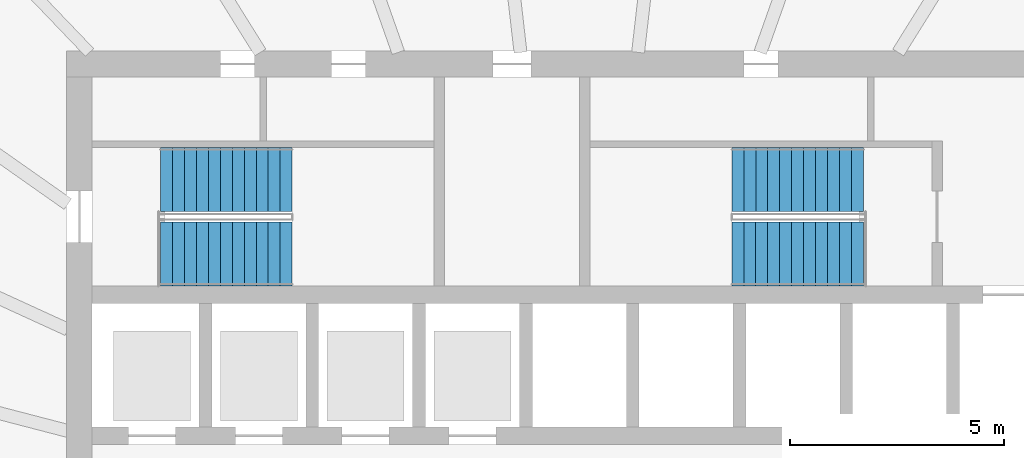
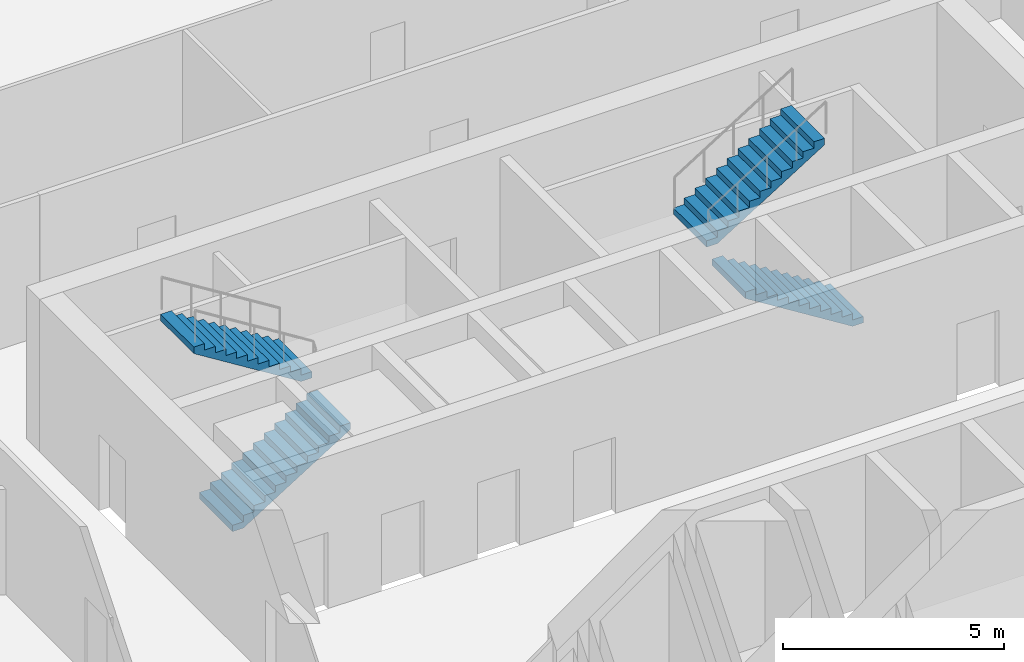
# One storey, part 9 of 12: 4 stair flights, 2 elements without a shape of their own.
"""IFC4 building model written with IfcOpenShell, lengths in metres."""

from ifc_helpers import new_model, si_unit, direction, frame, origin, place, context, subcontext, project, spatial, polyline, outline, extrude, material, type_object, element, aggregate, save


model = new_model("IFC4")

# Units and contexts
model_context = context("Model", 3, precision=1e-05, world=origin(), true_north=direction((0.0, 1.0)))
body_context = subcontext(model_context, "Body", "Model", "MODEL_VIEW")
ifc_project = project(units=[si_unit("LENGTHUNIT", "METRE"), si_unit("AREAUNIT", "SQUARE_METRE"), si_unit("VOLUMEUNIT", "CUBIC_METRE"), si_unit("PLANEANGLEUNIT", "RADIAN"), si_unit("MASSUNIT", "GRAM", prefix="KILO")], contexts=[model_context])

# Site, building, storey
site_placement = place(None, origin())
site = spatial("IfcSite", under=ifc_project, at=site_placement, CompositionType="ELEMENT")
building_placement = place(site_placement, origin())
building = spatial("IfcBuilding", under=site, at=building_placement, Name="Halqa Exchange Tower", CompositionType="ELEMENT")
storey_placement = place(building_placement, frame((0.0, 0.0, 31.89990234375)))
storey = spatial("IfcBuildingStorey", under=building, at=storey_placement, Name="L06", CompositionType="ELEMENT", Elevation=31.89990234375)

# Stair, stair flights
ifc_material = material(Name="Concrete C30/37", Category="concrete")
stair_type = type_object("IfcStairType", Name="Exit stair 1500 wide", PredefinedType="HALF_TURN_STAIR", material=ifc_material)
stair_1_placement = place(storey_placement, origin())
stair_1 = element("IfcStair", 1, at=stair_1_placement, inside=storey, type_object=stair_type, Name="Exit stair ST1", PredefinedType="HALF_TURN_STAIR")
stair_flight_type = type_object("IfcStairFlightType", Name="Stair flight 1500 wide", PredefinedType="STRAIGHT", material=ifc_material)
stair_flight_1_placement = place(storey_placement, frame((-9.800048828125, 7.25, 0.0), z_axis=(0.0, 0.0, 1.0), x_axis=(1.0, 0.0, 0.0)))
stair_flight_1 = element("IfcStairFlight", 2, at=stair_flight_1_placement, type_object=stair_flight_type, Name="ST1 flight 1", NumberOfRisers=12, NumberOfTreads=11, PredefinedType="STRAIGHT", RiserHeight=0.175, TreadLength=0.28, context=body_context, shape_type="SweptSolid", body=[
    extrude(outline(polyline([(0.0, 0.0), (0.0, 0.175048828125), (0.280029296875, 0.175048828125), (0.280029296875, 0.35009765625), (0.56005859375, 0.35009765625), (0.56005859375, 0.52490234375), (0.840087890625, 0.52490234375), (0.840087890625, 0.699951171875), (1.1201171875, 0.699951171875), (1.1201171875, 0.875), (1.39990234375, 0.875), (1.39990234375, 1.050048828125), (1.679931640625, 1.050048828125), (1.679931640625, 1.22509765625), (1.9599609375, 1.22509765625), (1.9599609375, 1.39990234375), (2.239990234375, 1.39990234375), (2.239990234375, 1.574951171875), (2.52001953125, 1.574951171875), (2.52001953125, 1.75), (2.800048828125, 1.75), (2.800048828125, 1.925048828125), (3.080078125, 1.925048828125), (3.080078125, 2.10009765625), (3.080078125, 1.748291015625), (0.28271484375, 0.0), (0.0, 0.0)])), frame((0.0, 0.75, 0.0), z_axis=(0.0, -1.0, 0.0), x_axis=(1.0, 0.0, 0.0)), (0.0, 0.0, 1.0), 1.5),
])
stair_flight_2_placement = place(storey_placement, frame((-6.719970703125, 9.0, 2.10009765625), z_axis=(0.0, 0.0, 1.0), x_axis=(-1.0, 0.0, 0.0)))
stair_flight_2 = element("IfcStairFlight", 3, at=stair_flight_2_placement, type_object=stair_flight_type, Name="ST1 flight 2", NumberOfRisers=12, NumberOfTreads=11, PredefinedType="STRAIGHT", RiserHeight=0.175, TreadLength=0.28, context=body_context, shape_type="SweptSolid", body=[
    extrude(outline(polyline([(0.0, 0.0), (0.0, 0.175048828125), (0.280029296875, 0.175048828125), (0.280029296875, 0.35009765625), (0.56005859375, 0.35009765625), (0.56005859375, 0.52490234375), (0.840087890625, 0.52490234375), (0.840087890625, 0.699951171875), (1.1201171875, 0.699951171875), (1.1201171875, 0.875), (1.39990234375, 0.875), (1.39990234375, 1.050048828125), (1.679931640625, 1.050048828125), (1.679931640625, 1.22509765625), (1.9599609375, 1.22509765625), (1.9599609375, 1.39990234375), (2.239990234375, 1.39990234375), (2.239990234375, 1.574951171875), (2.52001953125, 1.574951171875), (2.52001953125, 1.75), (2.800048828125, 1.75), (2.800048828125, 1.925048828125), (3.080078125, 1.925048828125), (3.080078125, 2.10009765625), (3.080078125, 1.748291015625), (0.28271484375, 0.0), (0.0, 0.0)])), frame((0.0, 0.75, 0.0), z_axis=(0.0, -1.0, 0.0), x_axis=(1.0, 0.0, 0.0)), (0.0, 0.0, 1.0), 1.5),
])
aggregate(stair_1, [stair_flight_1, stair_flight_2])

stair_2_placement = place(storey_placement, origin())
stair_2 = element("IfcStair", 4, at=stair_2_placement, inside=storey, type_object=stair_type, Name="Exit stair ST2", PredefinedType="HALF_TURN_STAIR")
stair_flight_3_placement = place(storey_placement, frame((6.64990234375, 7.25, 0.0), z_axis=(0.0, 0.0, 1.0), x_axis=(-1.0, 0.0, 0.0)))
stair_flight_3 = element("IfcStairFlight", 5, at=stair_flight_3_placement, type_object=stair_flight_type, Name="ST2 flight 1", NumberOfRisers=12, NumberOfTreads=11, PredefinedType="STRAIGHT", RiserHeight=0.175, TreadLength=0.28, context=body_context, shape_type="SweptSolid", body=[
    extrude(outline(polyline([(0.0, 0.0), (0.0, 0.175048828125), (0.280029296875, 0.175048828125), (0.280029296875, 0.35009765625), (0.56005859375, 0.35009765625), (0.56005859375, 0.52490234375), (0.840087890625, 0.52490234375), (0.840087890625, 0.699951171875), (1.1201171875, 0.699951171875), (1.1201171875, 0.875), (1.39990234375, 0.875), (1.39990234375, 1.050048828125), (1.679931640625, 1.050048828125), (1.679931640625, 1.22509765625), (1.9599609375, 1.22509765625), (1.9599609375, 1.39990234375), (2.239990234375, 1.39990234375), (2.239990234375, 1.574951171875), (2.52001953125, 1.574951171875), (2.52001953125, 1.75), (2.800048828125, 1.75), (2.800048828125, 1.925048828125), (3.080078125, 1.925048828125), (3.080078125, 2.10009765625), (3.080078125, 1.748291015625), (0.28271484375, 0.0), (0.0, 0.0)])), frame((0.0, 0.75, 0.0), z_axis=(0.0, -1.0, 0.0), x_axis=(1.0, 0.0, 0.0)), (0.0, 0.0, 1.0), 1.5),
])
stair_flight_4_placement = place(storey_placement, frame((3.570068359375, 9.0, 2.10009765625), z_axis=(0.0, 0.0, 1.0), x_axis=(1.0, 0.0, 0.0)))
stair_flight_4 = element("IfcStairFlight", 6, at=stair_flight_4_placement, type_object=stair_flight_type, Name="ST2 flight 2", NumberOfRisers=12, NumberOfTreads=11, PredefinedType="STRAIGHT", RiserHeight=0.175, TreadLength=0.28, context=body_context, shape_type="SweptSolid", body=[
    extrude(outline(polyline([(0.0, 0.0), (0.0, 0.175048828125), (0.280029296875, 0.175048828125), (0.280029296875, 0.35009765625), (0.56005859375, 0.35009765625), (0.56005859375, 0.52490234375), (0.840087890625, 0.52490234375), (0.840087890625, 0.699951171875), (1.1201171875, 0.699951171875), (1.1201171875, 0.875), (1.39990234375, 0.875), (1.39990234375, 1.050048828125), (1.679931640625, 1.050048828125), (1.679931640625, 1.22509765625), (1.9599609375, 1.22509765625), (1.9599609375, 1.39990234375), (2.239990234375, 1.39990234375), (2.239990234375, 1.574951171875), (2.52001953125, 1.574951171875), (2.52001953125, 1.75), (2.800048828125, 1.75), (2.800048828125, 1.925048828125), (3.080078125, 1.925048828125), (3.080078125, 2.10009765625), (3.080078125, 1.748291015625), (0.28271484375, 0.0), (0.0, 0.0)])), frame((0.0, 0.75, 0.0), z_axis=(0.0, -1.0, 0.0), x_axis=(1.0, 0.0, 0.0)), (0.0, 0.0, 1.0), 1.5),
])
aggregate(stair_2, [stair_flight_3, stair_flight_4])

save(model, "model.ifc")
